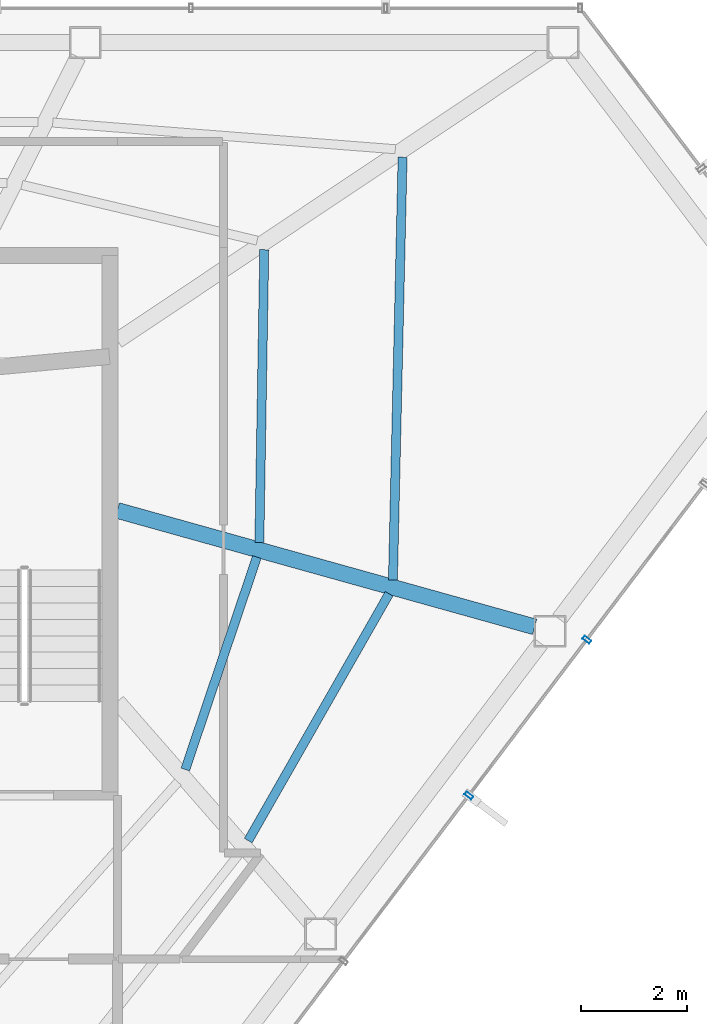
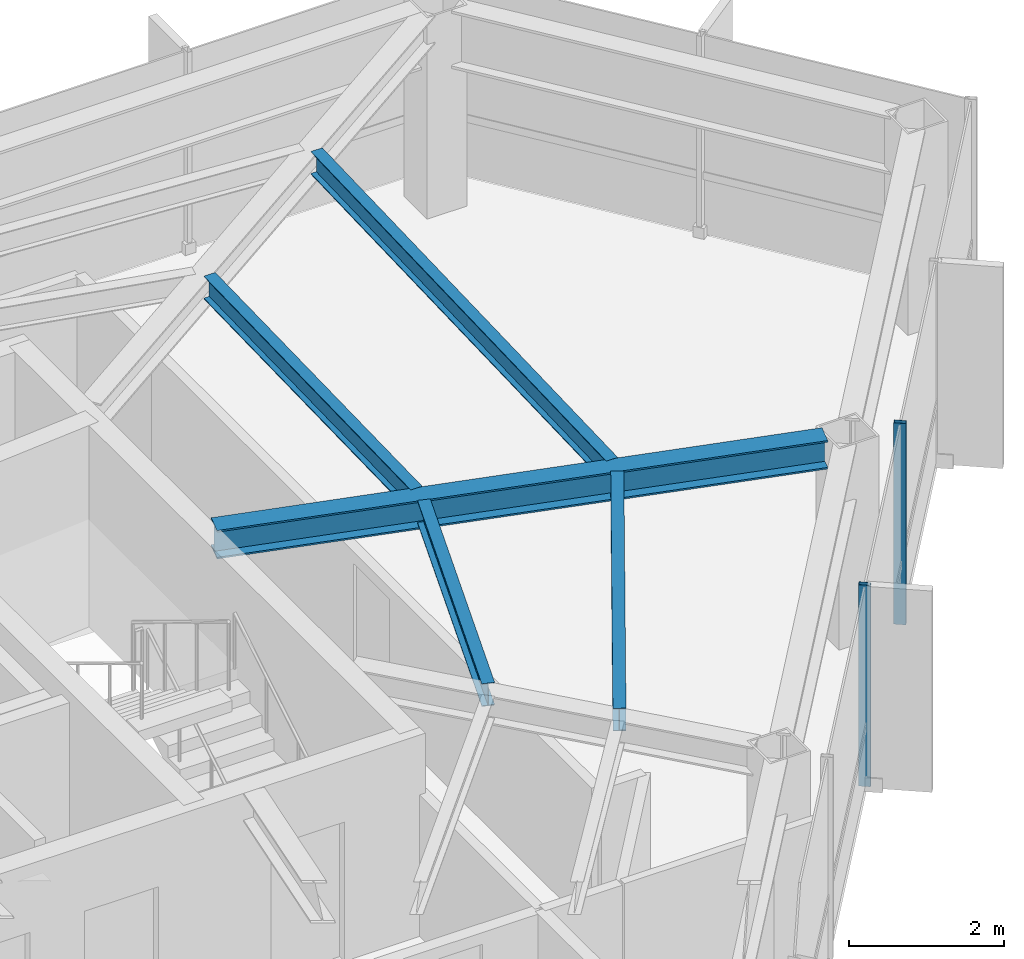
# One storey, part 17 of 25: 5 beams, 2 members, 1 element without a shape of its own.
"""IFC4 building model written with IfcOpenShell, lengths in metres."""

from ifc_helpers import new_model, si_unit, direction, frame, origin, origin_2d, place, context, subcontext, project, spatial, hollow_rectangle, i_section, extrude, material, layer, layer_set, material_profile, profile_set, type_object, element, aggregate, save


model = new_model("IFC4")

# Units and contexts
model_context = context("Model", 3, precision=1e-05, world=origin(), true_north=direction((0.0, 1.0)))
body_context = subcontext(model_context, "Body", "Model", "MODEL_VIEW")
ifc_project = project(units=[si_unit("LENGTHUNIT", "METRE"), si_unit("AREAUNIT", "SQUARE_METRE"), si_unit("VOLUMEUNIT", "CUBIC_METRE"), si_unit("PLANEANGLEUNIT", "RADIAN"), si_unit("MASSUNIT", "GRAM", prefix="KILO")], contexts=[model_context])

# Site, building, storey
site_placement = place(None, origin())
site = spatial("IfcSite", under=ifc_project, at=site_placement, CompositionType="ELEMENT")
building_placement = place(site_placement, origin())
building = spatial("IfcBuilding", under=site, at=building_placement, Name="Zarrinselat Tower", CompositionType="ELEMENT")
storey_placement = place(building_placement, frame((0.0, 0.0, 239.360107421875)))
storey = spatial("IfcBuildingStorey", under=building, at=storey_placement, Name="L60", CompositionType="ELEMENT", Elevation=239.360107421875)

# Beams
ifc_material_1 = material(Name="Steel S355J2", Category="steel")
ifc_material_profile_1 = material_profile(ifc_material_1, i_section(OverallWidth=0.300048828125, OverallDepth=0.449951171875, WebThickness=0.013916015625, FlangeThickness=0.02587890625, at=origin_2d()), Name="HEB 450")
ifc_profile_set_1 = profile_set([ifc_material_profile_1], Name="Steel S355J2")
beam_type_1 = type_object("IfcBeamType", Name="BM-HEB450", PredefinedType="BEAM", material=ifc_profile_set_1)
beam_1_placement = place(storey_placement, frame((48.35009765625, 38.60009765625, 2.954833984375), z_axis=(0.963213775513, -0.26873634414, 0.0), x_axis=(0.26873634414, 0.963213775513, 0.0)))
element("IfcBeam", 1, at=beam_1_placement, inside=storey, type_object=beam_type_1, Name="L60 Radial Primary Girder RG14", PredefinedType="BEAM", context=body_context, shape_type="SweptSolid", body=[
    extrude(i_section(OverallWidth=0.300048828125, OverallDepth=0.449951171875, WebThickness=0.013916015625, FlangeThickness=0.02587890625, at=origin_2d()), origin(), (0.0, 0.0, 1.0), 8.158935546875),
])
ifc_material_2 = material(Name="Steel S355J2", Category="steel")
ifc_material_profile_2 = material_profile(ifc_material_2, i_section(OverallWidth=0.169921875, OverallDepth=0.360107421875, WebThickness=0.008056640625, FlangeThickness=0.0126953125, at=origin_2d()), Name="IPE 360")
ifc_profile_set_2 = profile_set([ifc_material_profile_2], Name="Steel S355J2")
beam_type_2 = type_object("IfcBeamType", Name="BM-IPE360", PredefinedType="JOIST", material=ifc_profile_set_2)
beam_2_placement = place(storey_placement, frame((50.81494140625, 32.3818359375, 3.0), z_axis=(0.495544498514, 0.868582552204, 0.0), x_axis=(-0.868582552204, 0.495544498514, 0.0)))
element("IfcBeam", 2, at=beam_2_placement, inside=storey, type_object=beam_type_2, Name="L60 Composite Floor Joist 4-1", PredefinedType="JOIST", context=body_context, shape_type="SweptSolid", body=[
    extrude(i_section(OverallWidth=0.169921875, OverallDepth=0.360107421875, WebThickness=0.008056640625, FlangeThickness=0.0126953125, at=origin_2d()), origin(), (0.0, 0.0, 1.0), 5.352783203125),
])
beam_3_placement = place(storey_placement, frame((49.62890625, 33.72119140625, 3.0), z_axis=(0.319383417207, 0.947625576276, 0.0), x_axis=(-0.947625576276, 0.319383417207, 0.0)))
element("IfcBeam", 3, at=beam_3_placement, inside=storey, type_object=beam_type_2, Name="L60 Composite Floor Joist 4-2", PredefinedType="JOIST", context=body_context, shape_type="SweptSolid", body=[
    extrude(i_section(OverallWidth=0.169921875, OverallDepth=0.360107421875, WebThickness=0.008056640625, FlangeThickness=0.0126953125, at=origin_2d()), origin(), (0.0, 0.0, 1.0), 4.221923828125),
])
beam_4_placement = place(storey_placement, frame((53.540283203125, 37.29296875, 3.0), z_axis=(0.022844694485, 0.999739025913, 0.0), x_axis=(-0.999739025913, 0.022844694485, 0.0)))
element("IfcBeam", 4, at=beam_4_placement, inside=storey, type_object=beam_type_2, Name="L60 Composite Floor Joist 5-1", PredefinedType="JOIST", context=body_context, shape_type="SweptSolid", body=[
    extrude(i_section(OverallWidth=0.169921875, OverallDepth=0.360107421875, WebThickness=0.008056640625, FlangeThickness=0.0126953125, at=origin_2d()), origin(), (0.0, 0.0, 1.0), 7.9619140625),
])
beam_5_placement = place(storey_placement, frame((51.0244140625, 37.994384765625, 3.0), z_axis=(0.016727024358, 0.999860093541, 0.0), x_axis=(-0.999860093541, 0.016727024358, 0.0)))
element("IfcBeam", 5, at=beam_5_placement, inside=storey, type_object=beam_type_2, Name="L60 Composite Floor Joist 5-2", PredefinedType="JOIST", context=body_context, shape_type="SweptSolid", body=[
    extrude(i_section(OverallWidth=0.169921875, OverallDepth=0.360107421875, WebThickness=0.008056640625, FlangeThickness=0.0126953125, at=origin_2d()), origin(), (0.0, 0.0, 1.0), 5.51708984375),
])

# Curtain wall, members
ifc_material_3 = material(Name="Extruded Aluminium Alloy EN AW-6063 T6", Category="aluminium")
ifc_layer = layer(ifc_material_3, 0.169921875)
ifc_layer_set = layer_set([ifc_layer], Name="Extruded Aluminium Alloy EN AW-6063 T6")
curtain_wall_type = type_object("IfcCurtainWallType", Name="CWS-RES", PredefinedType="NOTDEFINED", material=ifc_layer_set)
curtain_wall_placement = place(storey_placement, origin())
curtain_wall = element("IfcCurtainWall", 6, at=curtain_wall_placement, inside=storey, type_object=curtain_wall_type, Name="L60 Unitised Curtain Wall CW-L60-E05", PredefinedType="NOTDEFINED")
ifc_material_4 = material(Name="Extruded Aluminium Alloy EN AW-6063 T6", Category="aluminium")
ifc_material_profile_3 = material_profile(ifc_material_4, hollow_rectangle(XDim=0.070068359375, YDim=0.159912109375, WallThickness=0.00390625, at=origin_2d()), Name="RHS 160x70x4")
ifc_profile_set_3 = profile_set([ifc_material_profile_3], Name="Extruded Aluminium Alloy EN AW-6063 T6")
member_type = type_object("IfcMemberType", Name="MEM-CW-MUL2", PredefinedType="MULLION", material=ifc_profile_set_3)
member_1_placement = place(storey_placement, frame((54.969970703125, 33.230224609375, 0.0), z_axis=(0.0, 0.0, 1.0), x_axis=(0.603858472709, 0.797091553674, 0.0)))
member_1 = element("IfcMember", 7, at=member_1_placement, type_object=member_type, Name="CW-L60-E05 Mullion 5", PredefinedType="MULLION", context=body_context, shape_type="SweptSolid", body=[
    extrude(hollow_rectangle(XDim=0.070068359375, YDim=0.159912109375, WallThickness=0.00390625, at=origin_2d()), origin(), (0.0, 0.0, 1.0), 3.179931640625),
])
member_2_placement = place(storey_placement, frame((57.1923828125, 36.163818359375, 0.0), z_axis=(0.0, 0.0, 1.0), x_axis=(0.603858472709, 0.797091553674, 0.0)))
member_2 = element("IfcMember", 8, at=member_2_placement, type_object=member_type, Name="CW-L60-E05 Mullion 6", PredefinedType="MULLION", context=body_context, shape_type="SweptSolid", body=[
    extrude(hollow_rectangle(XDim=0.070068359375, YDim=0.159912109375, WallThickness=0.00390625, at=origin_2d()), origin(), (0.0, 0.0, 1.0), 3.179931640625),
])
aggregate(curtain_wall, [member_1, member_2])

save(model, "model.ifc")
